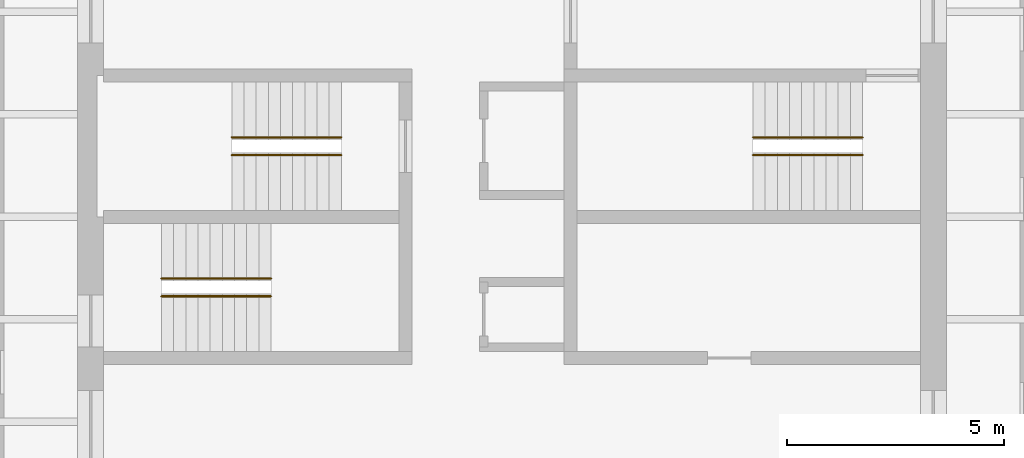
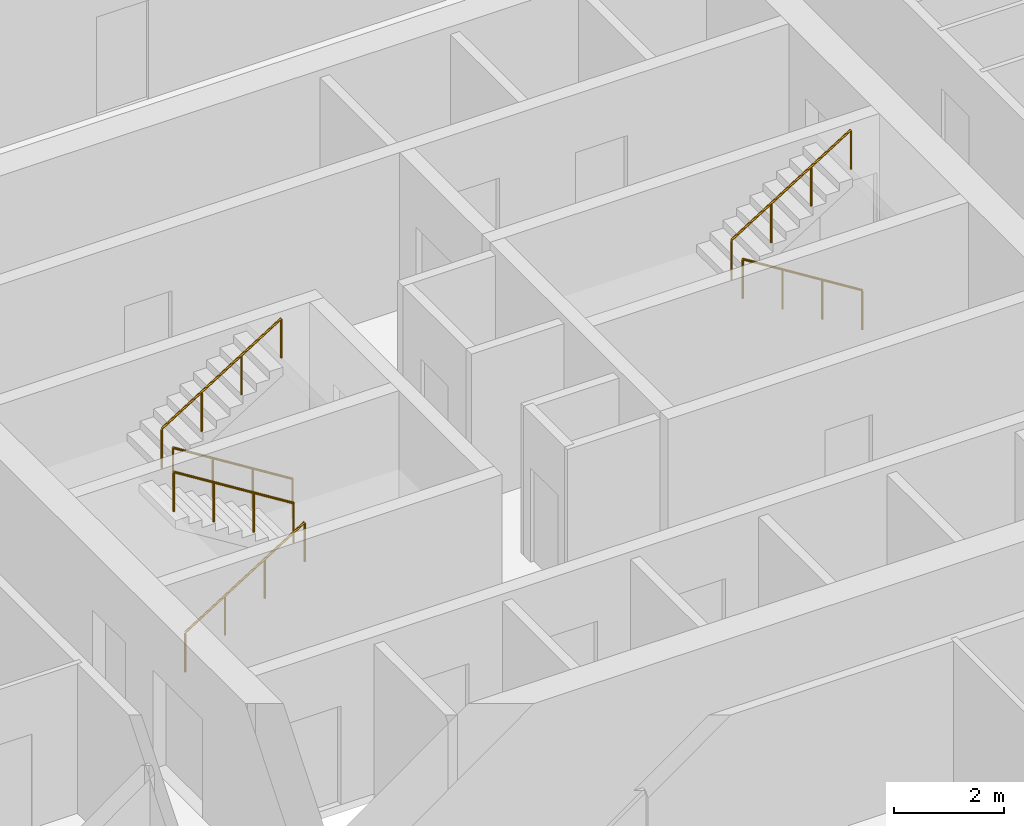
# One storey, part 9 of 9: 6 railings.
"""IFC4 building model written with IfcOpenShell, lengths in metres."""

from ifc_helpers import new_model, si_unit, direction, frame, origin, origin_2d, place, context, subcontext, project, spatial, circle, extrude, material, type_object, element, save


model = new_model("IFC4")

# Units and contexts
model_context = context("Model", 3, precision=1e-05, world=origin(), true_north=direction((0.0, 1.0)))
body_context = subcontext(model_context, "Body", "Model", "MODEL_VIEW")
ifc_project = project(units=[si_unit("LENGTHUNIT", "METRE"), si_unit("AREAUNIT", "SQUARE_METRE"), si_unit("VOLUMEUNIT", "CUBIC_METRE"), si_unit("PLANEANGLEUNIT", "RADIAN"), si_unit("MASSUNIT", "GRAM", prefix="KILO")], contexts=[model_context])

# Site, building, storey
site_placement = place(None, origin())
site = spatial("IfcSite", under=ifc_project, at=site_placement, CompositionType="ELEMENT")
building_placement = place(site_placement, origin())
building = spatial("IfcBuilding", under=site, at=building_placement, Name="Turquesa Mirador Hotel Tower", CompositionType="ELEMENT")
storey_placement = place(building_placement, frame((0.0, 0.0, 207.300048828125)))
storey = spatial("IfcBuildingStorey", under=building, at=storey_placement, Name="L56", CompositionType="ELEMENT", Elevation=207.300048828125)

# Railings
ifc_material = material(Name="Painted steel handrail", Category="steel")
railing_type = type_object("IfcRailingType", Name="HANDRAIL 900 STEEL", PredefinedType="HANDRAIL", material=ifc_material)
railing_1_placement = place(storey_placement, frame((51.070068359375, 46.419921875, 0.175048828125)))
element("IfcRailing", 1, at=railing_1_placement, inside=storey, type_object=railing_type, Name="Handrail ST1", PredefinedType="HANDRAIL", context=body_context, shape_type="SweptSolid", body=[
    extrude(circle(Radius=0.02392578125, at=origin_2d()), frame((0.0, 0.0, 0.8759765625), z_axis=(-0.848007534815, 0.0, 0.529984170421), x_axis=(0.0, -1.0, 0.0)), (0.0, 0.0, 1.0), 2.9716796875),
    extrude(circle(Radius=0.02099609375, at=origin_2d()), origin(), (0.0, 0.0, 1.0), 0.851806640625),
    extrude(circle(Radius=0.02099609375, at=origin_2d()), frame((-0.840087890625, 0.0, 0.52490234375)), (0.0, 0.0, 1.0), 0.851806640625),
    extrude(circle(Radius=0.02099609375, at=origin_2d()), frame((-1.679931640625, 0.0, 1.050048828125)), (0.0, 0.0, 1.0), 0.851806640625),
    extrude(circle(Radius=0.02099609375, at=origin_2d()), frame((-2.52001953125, 0.0, 1.574951171875)), (0.0, 0.0, 1.0), 0.851806640625),
])
for number, where, name in (
    (2, (48.550048828125, 46.830078125, 1.925048828125), "Handrail ST1"),
    (3, (46.929931640625, 43.169921875, 0.175048828125), "Handrail ST2"),
):
    element("IfcRailing", number, at=place(storey_placement, frame(where)), inside=storey, type_object=railing_type, Name=name, PredefinedType="HANDRAIL", context=body_context, shape_type="SweptSolid", body=[
        extrude(circle(Radius=0.02392578125, at=origin_2d()), frame((0.0, 0.0, 0.8759765625), z_axis=(0.848007534815, 0.0, 0.529984170421), x_axis=(0.0, 1.0, 0.0)), (0.0, 0.0, 1.0), 2.9716796875),
        extrude(circle(Radius=0.02099609375, at=origin_2d()), origin(), (0.0, 0.0, 1.0), 0.851806640625),
        extrude(circle(Radius=0.02099609375, at=origin_2d()), frame((0.840087890625, 0.0, 0.52490234375)), (0.0, 0.0, 1.0), 0.851806640625),
        extrude(circle(Radius=0.02099609375, at=origin_2d()), frame((1.679931640625, 0.0, 1.050048828125)), (0.0, 0.0, 1.0), 0.851806640625),
        extrude(circle(Radius=0.02099609375, at=origin_2d()), frame((2.52001953125, 0.0, 1.574951171875)), (0.0, 0.0, 1.0), 0.851806640625),
    ])
for number, where, name in (
    (4, (49.449951171875, 43.580078125, 1.925048828125), "Handrail ST2"),
    (5, (63.070068359375, 46.419921875, 0.175048828125), "Handrail ST3"),
):
    element("IfcRailing", number, at=place(storey_placement, frame(where)), inside=storey, type_object=railing_type, Name=name, PredefinedType="HANDRAIL", context=body_context, shape_type="SweptSolid", body=[
        extrude(circle(Radius=0.02392578125, at=origin_2d()), frame((0.0, 0.0, 0.8759765625), z_axis=(-0.848007534815, 0.0, 0.529984170421), x_axis=(0.0, -1.0, 0.0)), (0.0, 0.0, 1.0), 2.9716796875),
        extrude(circle(Radius=0.02099609375, at=origin_2d()), origin(), (0.0, 0.0, 1.0), 0.851806640625),
        extrude(circle(Radius=0.02099609375, at=origin_2d()), frame((-0.840087890625, 0.0, 0.52490234375)), (0.0, 0.0, 1.0), 0.851806640625),
        extrude(circle(Radius=0.02099609375, at=origin_2d()), frame((-1.679931640625, 0.0, 1.050048828125)), (0.0, 0.0, 1.0), 0.851806640625),
        extrude(circle(Radius=0.02099609375, at=origin_2d()), frame((-2.52001953125, 0.0, 1.574951171875)), (0.0, 0.0, 1.0), 0.851806640625),
    ])
railing_2_placement = place(storey_placement, frame((60.550048828125, 46.830078125, 1.925048828125)))
element("IfcRailing", 6, at=railing_2_placement, inside=storey, type_object=railing_type, Name="Handrail ST3", PredefinedType="HANDRAIL", context=body_context, shape_type="SweptSolid", body=[
    extrude(circle(Radius=0.02392578125, at=origin_2d()), frame((0.0, 0.0, 0.8759765625), z_axis=(0.848007534815, 0.0, 0.529984170421), x_axis=(0.0, 1.0, 0.0)), (0.0, 0.0, 1.0), 2.9716796875),
    extrude(circle(Radius=0.02099609375, at=origin_2d()), origin(), (0.0, 0.0, 1.0), 0.851806640625),
    extrude(circle(Radius=0.02099609375, at=origin_2d()), frame((0.840087890625, 0.0, 0.52490234375)), (0.0, 0.0, 1.0), 0.851806640625),
    extrude(circle(Radius=0.02099609375, at=origin_2d()), frame((1.679931640625, 0.0, 1.050048828125)), (0.0, 0.0, 1.0), 0.851806640625),
    extrude(circle(Radius=0.02099609375, at=origin_2d()), frame((2.52001953125, 0.0, 1.574951171875)), (0.0, 0.0, 1.0), 0.851806640625),
])

save(model, "model.ifc")
